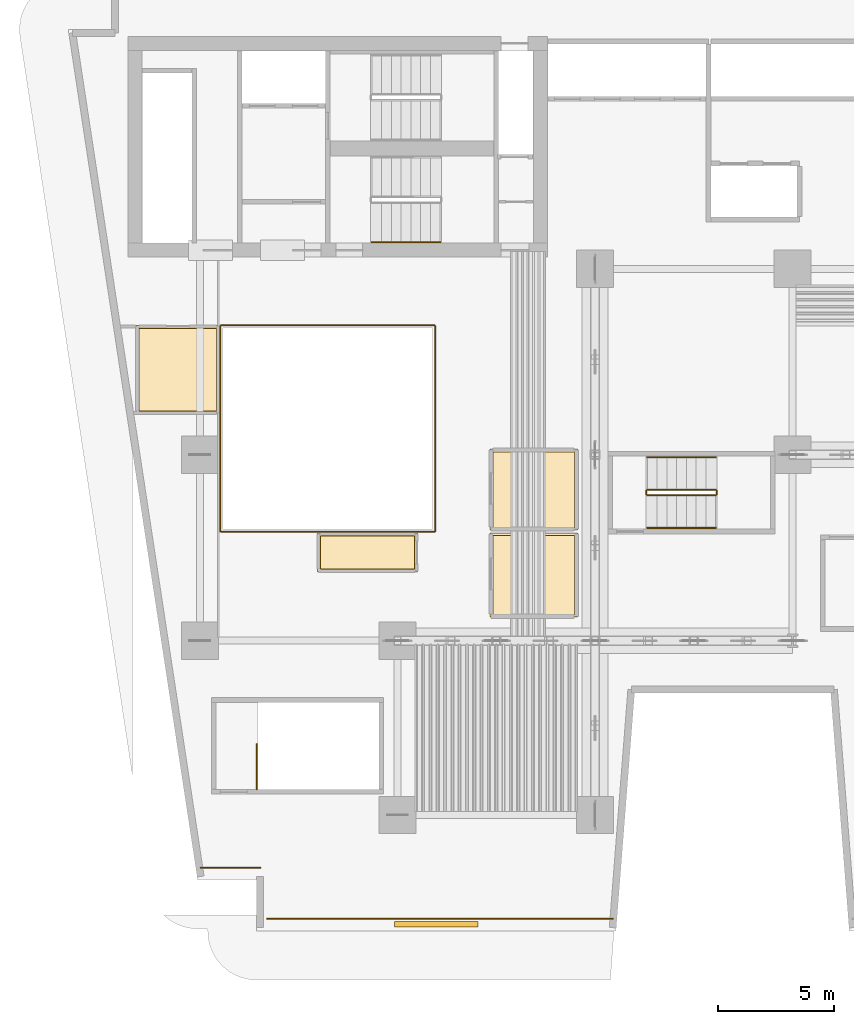
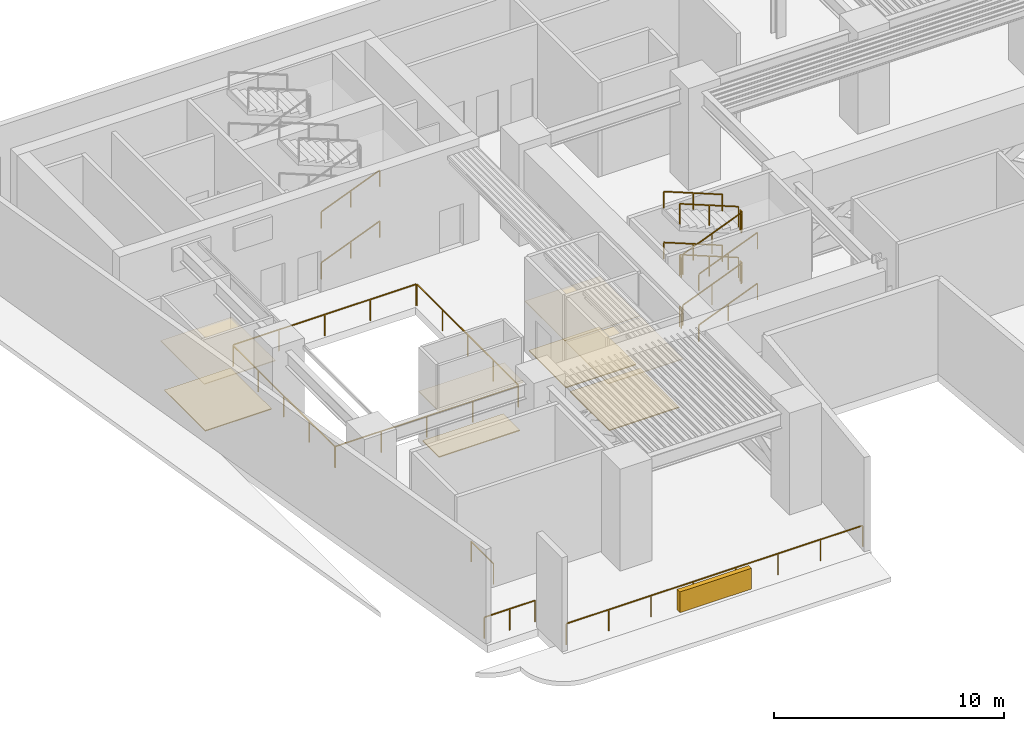
# One storey, part 7 of 9: 21 railings, 8 coverings, 1 shading device.
"""IFC4 building model written with IfcOpenShell, lengths in metres."""

from ifc_helpers import new_model, si_unit, direction, frame, origin, origin_2d, place, context, subcontext, project, spatial, polyline, rectangle, outline, extrude, material, layer, layer_set, type_object, element, save


model = new_model("IFC4")

# Units and contexts
model_context = context("Model", 3, precision=1e-05, world=origin(), true_north=direction((0.0, 1.0)))
body_context = subcontext(model_context, "Body", "Model", "MODEL_VIEW")
ifc_project = project(units=[si_unit("LENGTHUNIT", "METRE"), si_unit("AREAUNIT", "SQUARE_METRE"), si_unit("VOLUMEUNIT", "CUBIC_METRE"), si_unit("PLANEANGLEUNIT", "RADIAN"), si_unit("MASSUNIT", "GRAM", prefix="KILO")], contexts=[model_context])

# Site, building, storey
site_placement = place(None, origin())
site = spatial("IfcSite", under=ifc_project, at=site_placement, CompositionType="ELEMENT")
building_placement = place(site_placement, origin())
building = spatial("IfcBuilding", under=site, at=building_placement, Name="Caeloran Harvest Quay", CompositionType="ELEMENT")
storey_placement = place(building_placement, frame((0.0, 0.0, 21.60009765625)))
storey = spatial("IfcBuildingStorey", under=building, at=storey_placement, Name="L05", CompositionType="ELEMENT", Elevation=21.60009765625)

# Coverings
ifc_material_1 = material(Name="Perforated Mineral-Fibre Acoustic Ceiling Tile", Category="ceiling")
ifc_layer_1 = layer(ifc_material_1, 0.0400390625, Name="Perforated Mineral-Fibre Acoustic Ceiling Tile")
ifc_layer_set_1 = layer_set([ifc_layer_1], Name="Perforated Mineral-Fibre Acoustic Ceiling Tile")
covering_type_1 = type_object("IfcCoveringType", Name="COV-CEILING-ACOUSTIC", PredefinedType="CEILING", material=ifc_layer_set_1)
covering_1_placement = place(storey_placement, frame((0.0, 0.0, 2.599853515625)))
element("IfcCovering", 1, at=covering_1_placement, inside=storey, type_object=covering_type_1, Name="L05 Dedicated Outdoor Air Handling and Dehumidification Plant Room Acoustic Ceiling", PredefinedType="CEILING", context=body_context, shape_type="SweptSolid", body=[
    extrude(outline(polyline([(24.739990234375, 23.239990234375), (24.739990234375, 19.760009765625), (20.97998046875, 19.760009765625), (20.97998046875, 23.239990234375), (24.739990234375, 23.239990234375)])), origin(), (0.0, 0.0, 1.0), 0.0400390625),
])
covering_2_placement = place(storey_placement, frame((0.0, 0.0, 2.599853515625)))
element("IfcCovering", 2, at=covering_2_placement, inside=storey, type_object=covering_type_1, Name="L05 Zone Chilled-Water Heat Exchanger and Pump Plant Room Acoustic Ceiling", PredefinedType="CEILING", context=body_context, shape_type="SweptSolid", body=[
    extrude(outline(polyline([(24.739990234375, 19.639892578125), (24.739990234375, 16.010009765625), (20.97998046875, 16.010009765625), (20.97998046875, 19.639892578125), (24.739990234375, 19.639892578125)])), origin(), (0.0, 0.0, 1.0), 0.0400390625),
])
covering_3_placement = place(storey_placement, frame((0.0, 0.0, 2.599853515625)))
element("IfcCovering", 3, at=covering_3_placement, inside=storey, type_object=covering_type_1, Name="L05 Refuge Male Washroom WC Acoustic Ceiling", PredefinedType="CEILING", context=body_context, shape_type="SweptSolid", body=[
    extrude(outline(polyline([(17.860107421875, 19.6298828125), (17.860107421875, 17.9599609375), (13.56005859375, 17.9599609375), (13.56005859375, 19.6298828125), (17.860107421875, 19.6298828125)])), origin(), (0.0, 0.0, 1.0), 0.0400390625),
])
covering_4_placement = place(storey_placement, frame((0.0, 0.0, 2.599853515625)))
element("IfcCovering", 4, at=covering_4_placement, inside=storey, type_object=covering_type_1, Name="L05 Refuge Accessible Unisex Washroom WC Acoustic Ceiling", PredefinedType="CEILING", context=body_context, shape_type="SweptSolid", body=[
    extrude(outline(polyline([(9.330078125, 28.56005859375), (9.330078125, 24.760009765625), (5.760009765625, 24.760009765625), (5.760009765625, 28.56005859375), (9.330078125, 28.56005859375)])), origin(), (0.0, 0.0, 1.0), 0.0400390625),
])
ifc_material_2 = material(Name="Calcium-Sulphate Raised Access Floor and Terrazzo Finish", Category="flooring")
ifc_layer_2 = layer(ifc_material_2, 0.050048828125, Name="Calcium-Sulphate Raised Access Floor and Terrazzo Finish")
ifc_layer_set_2 = layer_set([ifc_layer_2], Name="Calcium-Sulphate Raised Access Floor and Terrazzo Finish")
covering_type_2 = type_object("IfcCoveringType", Name="COV-FLOOR-RAISED", PredefinedType="FLOORING", material=ifc_layer_set_2)
covering_5_placement = place(storey_placement, origin())
element("IfcCovering", 5, at=covering_5_placement, inside=storey, type_object=covering_type_2, Name="L05 Dedicated Outdoor Air Handling and Dehumidification Plant Room Raised Finish Flooring", PredefinedType="FLOORING", context=body_context, shape_type="SweptSolid", body=[
    extrude(outline(polyline([(24.6201171875, 23.1201171875), (24.6201171875, 19.8798828125), (21.10009765625, 19.8798828125), (21.10009765625, 23.1201171875), (24.6201171875, 23.1201171875)])), origin(), (0.0, 0.0, 1.0), 0.0498046875),
])
covering_6_placement = place(storey_placement, origin())
element("IfcCovering", 6, at=covering_6_placement, inside=storey, type_object=covering_type_2, Name="L05 Zone Chilled-Water Heat Exchanger and Pump Plant Room Raised Finish Flooring", PredefinedType="FLOORING", context=body_context, shape_type="SweptSolid", body=[
    extrude(outline(polyline([(24.6201171875, 19.52001953125), (24.6201171875, 16.1298828125), (21.10009765625, 16.1298828125), (21.10009765625, 19.52001953125), (24.6201171875, 19.52001953125)])), origin(), (0.0, 0.0, 1.0), 0.0498046875),
])
covering_7_placement = place(storey_placement, origin())
element("IfcCovering", 7, at=covering_7_placement, inside=storey, type_object=covering_type_2, Name="L05 Refuge Male Washroom WC Raised Finish Flooring", PredefinedType="FLOORING", context=body_context, shape_type="SweptSolid", body=[
    extrude(outline(polyline([(17.739990234375, 19.510009765625), (17.739990234375, 18.080078125), (13.679931640625, 18.080078125), (13.679931640625, 19.510009765625), (17.739990234375, 19.510009765625)])), origin(), (0.0, 0.0, 1.0), 0.0498046875),
])
covering_8_placement = place(storey_placement, origin())
element("IfcCovering", 8, at=covering_8_placement, inside=storey, type_object=covering_type_2, Name="L05 Refuge Accessible Unisex Washroom WC Raised Finish Flooring", PredefinedType="FLOORING", context=body_context, shape_type="SweptSolid", body=[
    extrude(outline(polyline([(9.2099609375, 28.43994140625), (9.2099609375, 24.8798828125), (5.8798828125, 24.8798828125), (5.8798828125, 28.43994140625), (9.2099609375, 28.43994140625)])), origin(), (0.0, 0.0, 1.0), 0.0498046875),
])

# Railings
ifc_material_3 = material(Name="Powder-Coated Steel Post and Laminated Glass Guardrail", Category="steel")
ifc_layer_3 = layer(ifc_material_3, 0.06005859375, Name="Powder-Coated Steel Post and Laminated Glass Guardrail")
ifc_layer_set_3 = layer_set([ifc_layer_3], Name="Powder-Coated Steel Post and Laminated Glass Guardrail")
railing_type_1 = type_object("IfcRailingType", Name="GUARD-ATRIUM-1150", PredefinedType="GUARDRAIL", material=ifc_layer_set_3)
railing_1_placement = place(storey_placement, frame((9.412109375, 19.679931640625, 0.0)))
element("IfcRailing", 9, at=railing_1_placement, inside=storey, type_object=railing_type_1, Name="L05 Skylit Atrium Void Perimeter Guardrail Seg 1", PredefinedType="GUARDRAIL", context=body_context, shape_type="SweptSolid", body=[
    extrude(rectangle(XDim=0.048095703125, YDim=0.048095703125, at=origin_2d()), frame((0.0, 0.0, 1.1259765625), z_axis=(1.0, 0.0, 0.0), x_axis=(0.0, 1.0, 0.0)), (0.0, 0.0, 1.0), 9.17578125),
    extrude(rectangle(XDim=0.0419921875, YDim=0.0419921875, at=origin_2d()), origin(), (0.0, 0.0, 1.0), 1.101806640625),
    extrude(rectangle(XDim=0.0419921875, YDim=0.0419921875, at=origin_2d()), frame((2.2939453125, 0.0, 0.0)), (0.0, 0.0, 1.0), 1.101806640625),
    extrude(rectangle(XDim=0.0419921875, YDim=0.0419921875, at=origin_2d()), frame((4.587890625, 0.0, 0.0)), (0.0, 0.0, 1.0), 1.101806640625),
    extrude(rectangle(XDim=0.0419921875, YDim=0.0419921875, at=origin_2d()), frame((6.8818359375, 0.0, 0.0)), (0.0, 0.0, 1.0), 1.101806640625),
    extrude(rectangle(XDim=0.0419921875, YDim=0.0419921875, at=origin_2d()), frame((9.17578125, 0.0, 0.0)), (0.0, 0.0, 1.0), 1.101806640625),
])
railing_2_placement = place(storey_placement, frame((18.6201171875, 19.7119140625, 0.0)))
element("IfcRailing", 10, at=railing_2_placement, inside=storey, type_object=railing_type_1, Name="L05 Skylit Atrium Void Perimeter Guardrail Seg 2", PredefinedType="GUARDRAIL", context=body_context, shape_type="SweptSolid", body=[
    extrude(rectangle(XDim=0.048095703125, YDim=0.048095703125, at=origin_2d()), frame((0.0, 0.0, 1.1259765625), z_axis=(0.0, 1.0, 0.0), x_axis=(-1.0, 0.0, 0.0)), (0.0, 0.0, 1.0), 8.826171875),
    extrude(rectangle(XDim=0.0419921875, YDim=0.0419921875, at=origin_2d()), origin(), (0.0, 0.0, 1.0), 1.101806640625),
    extrude(rectangle(XDim=0.0419921875, YDim=0.0419921875, at=origin_2d()), frame((0.0, 2.20654296875, 0.0)), (0.0, 0.0, 1.0), 1.101806640625),
    extrude(rectangle(XDim=0.0419921875, YDim=0.0419921875, at=origin_2d()), frame((0.0, 4.4130859375, 0.0)), (0.0, 0.0, 1.0), 1.101806640625),
    extrude(rectangle(XDim=0.0419921875, YDim=0.0419921875, at=origin_2d()), frame((0.0, 6.61962890625, 0.0)), (0.0, 0.0, 1.0), 1.101806640625),
    extrude(rectangle(XDim=0.0419921875, YDim=0.0419921875, at=origin_2d()), frame((0.0, 8.826171875, 0.0)), (0.0, 0.0, 1.0), 1.101806640625),
])
railing_3_placement = place(storey_placement, frame((18.587890625, 28.570068359375, 0.0)))
element("IfcRailing", 11, at=railing_3_placement, inside=storey, type_object=railing_type_1, Name="L05 Skylit Atrium Void Perimeter Guardrail Seg 3", PredefinedType="GUARDRAIL", context=body_context, shape_type="SweptSolid", body=[
    extrude(rectangle(XDim=0.048095703125, YDim=0.048095703125, at=origin_2d()), frame((0.0, 0.0, 1.1259765625), z_axis=(-1.0, 0.0, 0.0), x_axis=(0.0, -1.0, 0.0)), (0.0, 0.0, 1.0), 9.17578125),
    extrude(rectangle(XDim=0.0419921875, YDim=0.0419921875, at=origin_2d()), origin(), (0.0, 0.0, 1.0), 1.101806640625),
    extrude(rectangle(XDim=0.0419921875, YDim=0.0419921875, at=origin_2d()), frame((-2.2939453125, 0.0, 0.0)), (0.0, 0.0, 1.0), 1.101806640625),
    extrude(rectangle(XDim=0.0419921875, YDim=0.0419921875, at=origin_2d()), frame((-4.587890625, 0.0, 0.0)), (0.0, 0.0, 1.0), 1.101806640625),
    extrude(rectangle(XDim=0.0419921875, YDim=0.0419921875, at=origin_2d()), frame((-6.8818359375, 0.0, 0.0)), (0.0, 0.0, 1.0), 1.101806640625),
    extrude(rectangle(XDim=0.0419921875, YDim=0.0419921875, at=origin_2d()), frame((-9.17578125, 0.0, 0.0)), (0.0, 0.0, 1.0), 1.101806640625),
])
railing_4_placement = place(storey_placement, frame((9.3798828125, 28.5380859375, 0.0)))
element("IfcRailing", 12, at=railing_4_placement, inside=storey, type_object=railing_type_1, Name="L05 Skylit Atrium Void Perimeter Guardrail Seg 4", PredefinedType="GUARDRAIL", context=body_context, shape_type="SweptSolid", body=[
    extrude(rectangle(XDim=0.048095703125, YDim=0.048095703125, at=origin_2d()), frame((0.0, 0.0, 1.1259765625), z_axis=(0.0, -1.0, 0.0), x_axis=(1.0, 0.0, 0.0)), (0.0, 0.0, 1.0), 8.826171875),
    extrude(rectangle(XDim=0.0419921875, YDim=0.0419921875, at=origin_2d()), origin(), (0.0, 0.0, 1.0), 1.101806640625),
    extrude(rectangle(XDim=0.0419921875, YDim=0.0419921875, at=origin_2d()), frame((0.0, -2.20654296875, 0.0)), (0.0, 0.0, 1.0), 1.101806640625),
    extrude(rectangle(XDim=0.0419921875, YDim=0.0419921875, at=origin_2d()), frame((0.0, -4.4130859375, 0.0)), (0.0, 0.0, 1.0), 1.101806640625),
    extrude(rectangle(XDim=0.0419921875, YDim=0.0419921875, at=origin_2d()), frame((0.0, -6.61962890625, 0.0)), (0.0, 0.0, 1.0), 1.101806640625),
    extrude(rectangle(XDim=0.0419921875, YDim=0.0419921875, at=origin_2d()), frame((0.0, -8.826171875, 0.0)), (0.0, 0.0, 1.0), 1.101806640625),
])
ifc_material_4 = material(Name="Laminated Safety Glass and Stainless Steel 316", Category="steel")
ifc_layer_4 = layer(ifc_material_4, 0.06005859375, Name="Laminated Safety Glass and Stainless Steel 316")
ifc_layer_set_4 = layer_set([ifc_layer_4], Name="Laminated Safety Glass and Stainless Steel 316")
railing_type_2 = type_object("IfcRailingType", Name="GUARD-BALUSTRADE-1150", PredefinedType="BALUSTRADE", material=ifc_layer_set_4)
railing_5_placement = place(storey_placement, frame((11.0869140625, 5.22998046875, 0.0)))
element("IfcRailing", 13, at=railing_5_placement, inside=storey, type_object=railing_type_2, Name="L05 Open Refuge and Wind-Slot Perimeter Balustrade 2", PredefinedType="BALUSTRADE", context=body_context, shape_type="SweptSolid", body=[
    extrude(rectangle(XDim=0.048095703125, YDim=0.048095703125, at=origin_2d()), frame((0.0, 0.0, 1.1259765625), z_axis=(-1.0, 0.0, 0.0), x_axis=(0.0, -1.0, 0.0)), (0.0, 0.0, 1.0), 2.5556640625),
    extrude(rectangle(XDim=0.0419921875, YDim=0.0419921875, at=origin_2d()), origin(), (0.0, 0.0, 1.0), 1.101806640625),
    extrude(rectangle(XDim=0.0419921875, YDim=0.0419921875, at=origin_2d()), frame((-1.27783203125, 0.0, 0.0)), (0.0, 0.0, 1.0), 1.101806640625),
    extrude(rectangle(XDim=0.0419921875, YDim=0.0419921875, at=origin_2d()), frame((-2.5556640625, 0.0, 0.0)), (0.0, 0.0, 1.0), 1.101806640625),
])
railing_6_placement = place(storey_placement, frame((26.264404296875, 3.030029296875, 0.0)))
element("IfcRailing", 14, at=railing_6_placement, inside=storey, type_object=railing_type_2, Name="L05 Open Refuge and Wind-Slot Perimeter Balustrade 16", PredefinedType="BALUSTRADE", context=body_context, shape_type="SweptSolid", body=[
    extrude(rectangle(XDim=0.048095703125, YDim=0.048095703125, at=origin_2d()), frame((0.0, 0.0, 1.1259765625), z_axis=(-1.0, 0.0, 0.0), x_axis=(0.0, -1.0, 0.0)), (0.0, 0.0, 1.0), 14.87744140625),
    extrude(rectangle(XDim=0.0419921875, YDim=0.0419921875, at=origin_2d()), origin(), (0.0, 0.0, 1.0), 1.101806640625),
    extrude(rectangle(XDim=0.0419921875, YDim=0.0419921875, at=origin_2d()), frame((-2.125244140625, 0.0, 0.0)), (0.0, 0.0, 1.0), 1.101806640625),
    extrude(rectangle(XDim=0.0419921875, YDim=0.0419921875, at=origin_2d()), frame((-4.250732421875, 0.0, 0.0)), (0.0, 0.0, 1.0), 1.101806640625),
    extrude(rectangle(XDim=0.0419921875, YDim=0.0419921875, at=origin_2d()), frame((-6.3759765625, 0.0, 0.0)), (0.0, 0.0, 1.0), 1.101806640625),
    extrude(rectangle(XDim=0.0419921875, YDim=0.0419921875, at=origin_2d()), frame((-8.50146484375, 0.0, 0.0)), (0.0, 0.0, 1.0), 1.101806640625),
    extrude(rectangle(XDim=0.0419921875, YDim=0.0419921875, at=origin_2d()), frame((-10.626708984375, 0.0, 0.0)), (0.0, 0.0, 1.0), 1.101806640625),
    extrude(rectangle(XDim=0.0419921875, YDim=0.0419921875, at=origin_2d()), frame((-12.752197265625, 0.0, 0.0)), (0.0, 0.0, 1.0), 1.101806640625),
    extrude(rectangle(XDim=0.0419921875, YDim=0.0419921875, at=origin_2d()), frame((-14.87744140625, 0.0, 0.0)), (0.0, 0.0, 1.0), 1.101806640625),
])

# Shading device
ifc_material_5 = material(Name="6063-T6 Extruded Aluminium Acoustic Weather Louvre", Category="aluminium")
shading_device_type = type_object("IfcShadingDeviceType", Name="SHADE-LOUVRE-PLANT", PredefinedType="JALOUSIE", material=ifc_material_5)
shading_device_placement = place(storey_placement, frame((18.675537109375, 2.7900390625, -0.000244140625), z_axis=(0.0, 0.0, 1.0), x_axis=(-1.0, 0.0, 0.0)))
element("IfcShadingDevice", 15, at=shading_device_placement, inside=storey, type_object=shading_device_type, Name="L05 Acoustic Weather Louvre 16", PredefinedType="JALOUSIE", context=body_context, shape_type="SweptSolid", body=[
    extrude(rectangle(XDim=3.60009765625, YDim=0.239990234375, at=origin_2d()), origin(), (0.0, 0.0, 1.0), 1.10009765625),
])

# Railings
ifc_material_6 = material(Name="Painted Steel Baluster and Top-Rail Stair Guard", Category="steel")
ifc_layer_5 = layer(ifc_material_6, 0.050048828125, Name="Painted Steel Baluster and Top-Rail Stair Guard")
ifc_layer_set_5 = layer_set([ifc_layer_5], Name="Painted Steel Baluster and Top-Rail Stair Guard")
railing_type_3 = type_object("IfcRailingType", Name="STAIR-GUARD-1100", PredefinedType="GUARDRAIL", material=ifc_layer_set_5)
railing_7_placement = place(storey_placement, frame((27.75, 21.25, 0.168701171875)))
element("IfcRailing", 16, at=railing_7_placement, inside=storey, type_object=railing_type_3, Name="L05 ST-W1 stair guard 1", PredefinedType="GUARDRAIL", context=body_context, shape_type="SweptSolid", body=[
    extrude(rectangle(XDim=0.048095703125, YDim=0.048095703125, at=origin_2d()), frame((0.0, 0.0, 1.076171875), z_axis=(0.927912314548, 0.0, 0.372798519995), x_axis=(0.0, 1.0, 0.0)), (0.0, 0.0, 1.0), 3.16845703125),
    extrude(rectangle(XDim=0.0419921875, YDim=0.0419921875, at=origin_2d()), origin(), (0.0, 0.0, 1.0), 1.052001953125),
    extrude(rectangle(XDim=0.0419921875, YDim=0.0419921875, at=origin_2d()), frame((1.469970703125, 0.0, 0.590576171875)), (0.0, 0.0, 1.0), 1.052001953125),
    extrude(rectangle(XDim=0.0419921875, YDim=0.0419921875, at=origin_2d()), frame((2.93994140625, 0.0, 1.18115234375)), (0.0, 0.0, 1.0), 1.052001953125),
])
railing_8_placement = place(storey_placement, frame((30.739990234375, 21.300048828125, 1.349853515625)))
element("IfcRailing", 17, at=railing_8_placement, inside=storey, type_object=railing_type_3, Name="L05 ST-W1 stair guard 2", PredefinedType="GUARDRAIL", context=body_context, shape_type="SweptSolid", body=[
    extrude(rectangle(XDim=0.048095703125, YDim=0.048095703125, at=origin_2d()), frame((0.0, 0.0, 1.076171875), z_axis=(0.0, 1.0, 0.0), x_axis=(-1.0, 0.0, 0.0)), (0.0, 0.0, 1.0), 0.14990234375),
    extrude(rectangle(XDim=0.0419921875, YDim=0.0419921875, at=origin_2d()), origin(), (0.0, 0.0, 1.0), 1.052001953125),
    extrude(rectangle(XDim=0.0419921875, YDim=0.0419921875, at=origin_2d()), frame((0.0, 0.14990234375, 0.0)), (0.0, 0.0, 1.0), 1.052001953125),
])
railing_9_placement = place(storey_placement, frame((30.68994140625, 21.5, 1.5185546875)))
element("IfcRailing", 18, at=railing_9_placement, inside=storey, type_object=railing_type_3, Name="L05 ST-W1 stair guard 3", PredefinedType="GUARDRAIL", context=body_context, shape_type="SweptSolid", body=[
    extrude(rectangle(XDim=0.048095703125, YDim=0.048095703125, at=origin_2d()), frame((0.0, 0.0, 1.076171875), z_axis=(-0.927885657282, 0.0, 0.372864864274), x_axis=(0.0, -1.0, 0.0)), (0.0, 0.0, 1.0), 3.16845703125),
    extrude(rectangle(XDim=0.0419921875, YDim=0.0419921875, at=origin_2d()), origin(), (0.0, 0.0, 1.0), 1.052001953125),
    extrude(rectangle(XDim=0.0419921875, YDim=0.0419921875, at=origin_2d()), frame((-1.469970703125, 0.0, 0.5908203125)), (0.0, 0.0, 1.0), 1.052001953125),
    extrude(rectangle(XDim=0.0419921875, YDim=0.0419921875, at=origin_2d()), frame((-2.93994140625, 0.0, 1.181396484375)), (0.0, 0.0, 1.0), 1.052001953125),
])
railing_10_placement = place(storey_placement, frame((27.699951171875, 21.300048828125, 2.699951171875)))
element("IfcRailing", 19, at=railing_10_placement, inside=storey, type_object=railing_type_3, Name="L05 ST-W1 stair guard 4", PredefinedType="GUARDRAIL", context=body_context, shape_type="SweptSolid", body=[
    extrude(rectangle(XDim=0.048095703125, YDim=0.048095703125, at=origin_2d()), frame((0.0, 0.0, 1.076171875), z_axis=(0.0, 1.0, 0.0), x_axis=(-1.0, 0.0, 0.0)), (0.0, 0.0, 1.0), 0.14990234375),
    extrude(rectangle(XDim=0.0419921875, YDim=0.0419921875, at=origin_2d()), origin(), (0.0, 0.0, 1.0), 1.052001953125),
    extrude(rectangle(XDim=0.0419921875, YDim=0.0419921875, at=origin_2d()), frame((0.0, 0.14990234375, 0.0)), (0.0, 0.0, 1.0), 1.052001953125),
])
railing_11_placement = place(storey_placement, frame((27.75, 21.25, 2.86865234375)))
element("IfcRailing", 20, at=railing_11_placement, inside=storey, type_object=railing_type_3, Name="L05 ST-W1 stair guard 5", PredefinedType="GUARDRAIL", context=body_context, shape_type="SweptSolid", body=[
    extrude(rectangle(XDim=0.048095703125, YDim=0.048095703125, at=origin_2d()), frame((0.0, 0.0, 1.076171875), z_axis=(0.927912314548, 0.0, 0.372798519995), x_axis=(0.0, 1.0, 0.0)), (0.0, 0.0, 1.0), 3.16845703125),
    extrude(rectangle(XDim=0.0419921875, YDim=0.0419921875, at=origin_2d()), origin(), (0.0, 0.0, 1.0), 1.052001953125),
    extrude(rectangle(XDim=0.0419921875, YDim=0.0419921875, at=origin_2d()), frame((1.469970703125, 0.0, 0.590576171875)), (0.0, 0.0, 1.0), 1.052001953125),
    extrude(rectangle(XDim=0.0419921875, YDim=0.0419921875, at=origin_2d()), frame((2.93994140625, 0.0, 1.18115234375)), (0.0, 0.0, 1.0), 1.052001953125),
])
railing_12_placement = place(storey_placement, frame((30.739990234375, 21.300048828125, 4.0498046875)))
element("IfcRailing", 21, at=railing_12_placement, inside=storey, type_object=railing_type_3, Name="L05 ST-W1 stair guard 6", PredefinedType="GUARDRAIL", context=body_context, shape_type="SweptSolid", body=[
    extrude(rectangle(XDim=0.048095703125, YDim=0.048095703125, at=origin_2d()), frame((0.0, 0.0, 1.076171875), z_axis=(0.0, 1.0, 0.0), x_axis=(-1.0, 0.0, 0.0)), (0.0, 0.0, 1.0), 0.14990234375),
    extrude(rectangle(XDim=0.0419921875, YDim=0.0419921875, at=origin_2d()), origin(), (0.0, 0.0, 1.0), 1.052001953125),
    extrude(rectangle(XDim=0.0419921875, YDim=0.0419921875, at=origin_2d()), frame((0.0, 0.14990234375, 0.0)), (0.0, 0.0, 1.0), 1.052001953125),
])
railing_13_placement = place(storey_placement, frame((30.68994140625, 21.5, 4.21875)))
element("IfcRailing", 22, at=railing_13_placement, inside=storey, type_object=railing_type_3, Name="L05 ST-W1 stair guard 7", PredefinedType="GUARDRAIL", context=body_context, shape_type="SweptSolid", body=[
    extrude(rectangle(XDim=0.048095703125, YDim=0.048095703125, at=origin_2d()), frame((0.0, 0.0, 1.076171875), z_axis=(-0.927912314548, 0.0, 0.372798519995), x_axis=(0.0, -1.0, 0.0)), (0.0, 0.0, 1.0), 3.16845703125),
    extrude(rectangle(XDim=0.0419921875, YDim=0.0419921875, at=origin_2d()), origin(), (0.0, 0.0, 1.0), 1.052001953125),
    extrude(rectangle(XDim=0.0419921875, YDim=0.0419921875, at=origin_2d()), frame((-1.469970703125, 0.0, 0.590576171875)), (0.0, 0.0, 1.0), 1.052001953125),
    extrude(rectangle(XDim=0.0419921875, YDim=0.0419921875, at=origin_2d()), frame((-2.93994140625, 0.0, 1.18115234375)), (0.0, 0.0, 1.0), 1.052001953125),
])
railing_14_placement = place(storey_placement, frame((27.699951171875, 21.300048828125, 0.0)))
element("IfcRailing", 23, at=railing_14_placement, inside=storey, type_object=railing_type_3, Name="L05 ST-W1 stair guard 8", PredefinedType="GUARDRAIL", context=body_context, shape_type="SweptSolid", body=[
    extrude(rectangle(XDim=0.048095703125, YDim=0.048095703125, at=origin_2d()), frame((0.0, 0.0, 1.076171875), z_axis=(0.0, 1.0, 0.0), x_axis=(-1.0, 0.0, 0.0)), (0.0, 0.0, 1.0), 0.14990234375),
    extrude(rectangle(XDim=0.0419921875, YDim=0.0419921875, at=origin_2d()), origin(), (0.0, 0.0, 1.0), 1.052001953125),
    extrude(rectangle(XDim=0.0419921875, YDim=0.0419921875, at=origin_2d()), frame((0.0, 0.14990234375, 0.0)), (0.0, 0.0, 1.0), 1.052001953125),
])
railing_15_placement = place(storey_placement, frame((10.949951171875, 8.60009765625, 0.0)))
element("IfcRailing", 24, at=railing_15_placement, inside=storey, type_object=railing_type_3, Name="L05 ST-P1 top well guard 1", PredefinedType="GUARDRAIL", context=body_context, shape_type="SweptSolid", body=[
    extrude(rectangle(XDim=0.048095703125, YDim=0.048095703125, at=origin_2d()), frame((0.0, 0.0, 1.076171875), z_axis=(0.0, 1.0, 0.0), x_axis=(-1.0, 0.0, 0.0)), (0.0, 0.0, 1.0), 1.949951171875),
    extrude(rectangle(XDim=0.0419921875, YDim=0.0419921875, at=origin_2d()), origin(), (0.0, 0.0, 1.0), 1.052001953125),
    extrude(rectangle(XDim=0.0419921875, YDim=0.0419921875, at=origin_2d()), frame((0.0, 1.949951171875, 0.0)), (0.0, 0.0, 1.0), 1.052001953125),
])
ifc_material_7 = material(Name="Brushed Stainless Steel Grade 304", Category="steel")
ifc_layer_6 = layer(ifc_material_7, 0.050048828125, Name="Brushed Stainless Steel Grade 304")
ifc_layer_set_6 = layer_set([ifc_layer_6], Name="Brushed Stainless Steel Grade 304")
railing_type_4 = type_object("IfcRailingType", Name="STAIR-HANDRAIL-900", PredefinedType="HANDRAIL", material=ifc_layer_set_6)
for number, where, name in (
    (25, (15.89990234375, 32.14990234375, 0.168701171875), "L05 ST-C2 stair handrail 1"),
    (26, (15.89990234375, 32.14990234375, 2.86865234375), "L05 ST-C2 stair handrail 3"),
):
    element("IfcRailing", number, at=place(storey_placement, frame(where)), inside=storey, type_object=railing_type_4, Name=name, PredefinedType="HANDRAIL", context=body_context, shape_type="SweptSolid", body=[
        extrude(rectangle(XDim=0.048095703125, YDim=0.048095703125, at=origin_2d()), frame((0.0, 0.0, 0.8759765625), z_axis=(0.927923022591, 0.0, 0.372771866088), x_axis=(0.0, 1.0, 0.0)), (0.0, 0.0, 1.0), 3.16845703125),
        extrude(rectangle(XDim=0.0419921875, YDim=0.0419921875, at=origin_2d()), origin(), (0.0, 0.0, 1.0), 0.851806640625),
        extrude(rectangle(XDim=0.0419921875, YDim=0.0419921875, at=origin_2d()), frame((1.47021484375, 0.0, 0.590576171875)), (0.0, 0.0, 1.0), 0.851806640625),
        extrude(rectangle(XDim=0.0419921875, YDim=0.0419921875, at=origin_2d()), frame((2.940185546875, 0.0, 1.18115234375)), (0.0, 0.0, 1.0), 0.851806640625),
    ])
railing_16_placement = place(storey_placement, frame((27.75, 19.85009765625, 0.168701171875)))
element("IfcRailing", 27, at=railing_16_placement, inside=storey, type_object=railing_type_4, Name="L05 ST-W1 stair handrail 1", PredefinedType="HANDRAIL", context=body_context, shape_type="SweptSolid", body=[
    extrude(rectangle(XDim=0.048095703125, YDim=0.048095703125, at=origin_2d()), frame((0.0, 0.0, 0.8759765625), z_axis=(0.927912314548, 0.0, 0.372798519995), x_axis=(0.0, 1.0, 0.0)), (0.0, 0.0, 1.0), 3.16845703125),
    extrude(rectangle(XDim=0.0419921875, YDim=0.0419921875, at=origin_2d()), origin(), (0.0, 0.0, 1.0), 0.851806640625),
    extrude(rectangle(XDim=0.0419921875, YDim=0.0419921875, at=origin_2d()), frame((1.469970703125, 0.0, 0.590576171875)), (0.0, 0.0, 1.0), 0.851806640625),
    extrude(rectangle(XDim=0.0419921875, YDim=0.0419921875, at=origin_2d()), frame((2.93994140625, 0.0, 1.18115234375)), (0.0, 0.0, 1.0), 0.851806640625),
])
railing_17_placement = place(storey_placement, frame((30.68994140625, 22.89990234375, 1.5185546875)))
element("IfcRailing", 28, at=railing_17_placement, inside=storey, type_object=railing_type_4, Name="L05 ST-W1 stair handrail 2", PredefinedType="HANDRAIL", context=body_context, shape_type="SweptSolid", body=[
    extrude(rectangle(XDim=0.048095703125, YDim=0.048095703125, at=origin_2d()), frame((0.0, 0.0, 0.8759765625), z_axis=(-0.927885657282, 0.0, 0.372864864274), x_axis=(0.0, -1.0, 0.0)), (0.0, 0.0, 1.0), 3.16845703125),
    extrude(rectangle(XDim=0.0419921875, YDim=0.0419921875, at=origin_2d()), origin(), (0.0, 0.0, 1.0), 0.851806640625),
    extrude(rectangle(XDim=0.0419921875, YDim=0.0419921875, at=origin_2d()), frame((-1.469970703125, 0.0, 0.5908203125)), (0.0, 0.0, 1.0), 0.851806640625),
    extrude(rectangle(XDim=0.0419921875, YDim=0.0419921875, at=origin_2d()), frame((-2.93994140625, 0.0, 1.181396484375)), (0.0, 0.0, 1.0), 0.851806640625),
])
railing_18_placement = place(storey_placement, frame((27.75, 19.85009765625, 2.86865234375)))
element("IfcRailing", 29, at=railing_18_placement, inside=storey, type_object=railing_type_4, Name="L05 ST-W1 stair handrail 3", PredefinedType="HANDRAIL", context=body_context, shape_type="SweptSolid", body=[
    extrude(rectangle(XDim=0.048095703125, YDim=0.048095703125, at=origin_2d()), frame((0.0, 0.0, 0.8759765625), z_axis=(0.927912314548, 0.0, 0.372798519995), x_axis=(0.0, 1.0, 0.0)), (0.0, 0.0, 1.0), 3.16845703125),
    extrude(rectangle(XDim=0.0419921875, YDim=0.0419921875, at=origin_2d()), origin(), (0.0, 0.0, 1.0), 0.851806640625),
    extrude(rectangle(XDim=0.0419921875, YDim=0.0419921875, at=origin_2d()), frame((1.469970703125, 0.0, 0.590576171875)), (0.0, 0.0, 1.0), 0.851806640625),
    extrude(rectangle(XDim=0.0419921875, YDim=0.0419921875, at=origin_2d()), frame((2.93994140625, 0.0, 1.18115234375)), (0.0, 0.0, 1.0), 0.851806640625),
])
railing_19_placement = place(storey_placement, frame((30.68994140625, 22.89990234375, 4.21875)))
element("IfcRailing", 30, at=railing_19_placement, inside=storey, type_object=railing_type_4, Name="L05 ST-W1 stair handrail 4", PredefinedType="HANDRAIL", context=body_context, shape_type="SweptSolid", body=[
    extrude(rectangle(XDim=0.048095703125, YDim=0.048095703125, at=origin_2d()), frame((0.0, 0.0, 0.8759765625), z_axis=(-0.927912314548, 0.0, 0.372798519995), x_axis=(0.0, -1.0, 0.0)), (0.0, 0.0, 1.0), 3.16845703125),
    extrude(rectangle(XDim=0.0419921875, YDim=0.0419921875, at=origin_2d()), origin(), (0.0, 0.0, 1.0), 0.851806640625),
    extrude(rectangle(XDim=0.0419921875, YDim=0.0419921875, at=origin_2d()), frame((-1.469970703125, 0.0, 0.590576171875)), (0.0, 0.0, 1.0), 0.851806640625),
    extrude(rectangle(XDim=0.0419921875, YDim=0.0419921875, at=origin_2d()), frame((-2.93994140625, 0.0, 1.18115234375)), (0.0, 0.0, 1.0), 0.851806640625),
])

save(model, "model.ifc")
